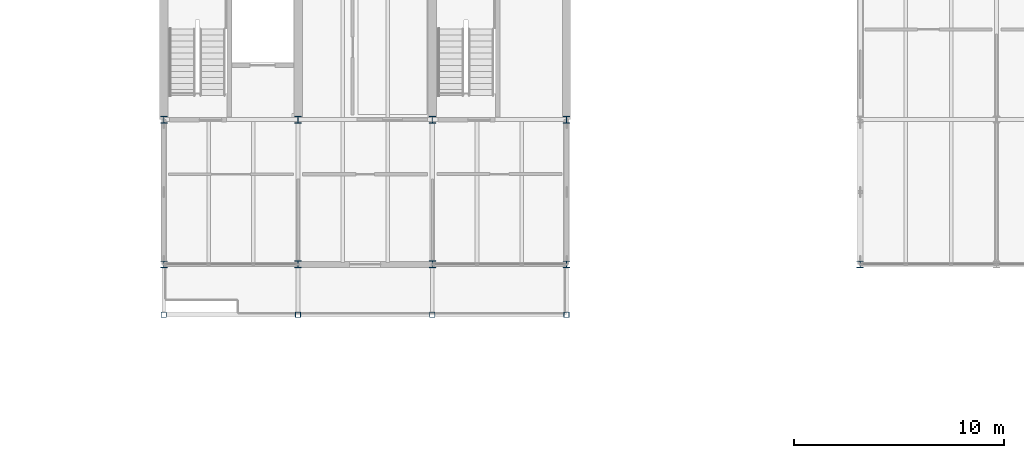
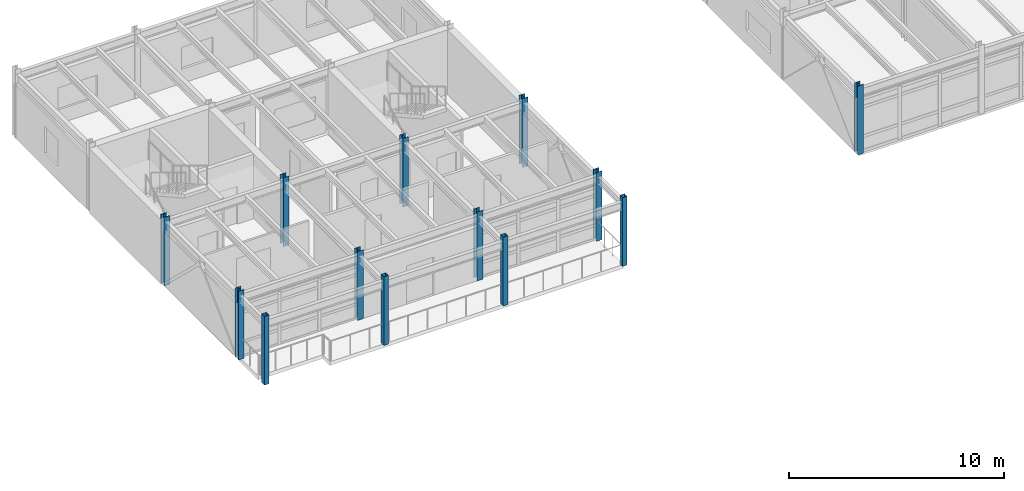
# One storey, part 5 of 49: 13 columns.
"""IFC4 building model written with IfcOpenShell, lengths in metres."""

from ifc_helpers import new_model, si_unit, direction, frame, origin, origin_2d, place, context, subcontext, project, spatial, hollow_rectangle, i_section, extrude, material, material_profile, profile_set, type_object, element, save


model = new_model("IFC4")

# Units and contexts
model_context = context("Model", 3, precision=1e-05, world=origin(), true_north=direction((0.0, 1.0)))
body_context = subcontext(model_context, "Body", "Model", "MODEL_VIEW")
ifc_project = project(units=[si_unit("LENGTHUNIT", "METRE"), si_unit("AREAUNIT", "SQUARE_METRE"), si_unit("VOLUMEUNIT", "CUBIC_METRE"), si_unit("PLANEANGLEUNIT", "RADIAN"), si_unit("MASSUNIT", "GRAM", prefix="KILO")], contexts=[model_context])

# Site, building, storey
site_placement = place(None, origin())
site = spatial("IfcSite", under=ifc_project, at=site_placement, CompositionType="ELEMENT")
building_placement = place(site_placement, origin())
building = spatial("IfcBuilding", under=site, at=building_placement, Name="Trelmorton Wharf Fire Station", CompositionType="ELEMENT")
storey_placement = place(building_placement, frame((0.0, 0.0, 9.60009765625)))
storey = spatial("IfcBuildingStorey", under=building, at=storey_placement, Name="L02", CompositionType="ELEMENT", Elevation=9.60009765625)

# Columns
ifc_material_1 = material(Name="Steel Grade 350", Category="steel")
ifc_material_profile_1 = material_profile(ifc_material_1, i_section(OverallWidth=0.306884765625, OverallDepth=0.31494140625, WebThickness=0.011962890625, FlangeThickness=0.018798828125, FilletRadius=0.0166015625, at=origin_2d()), Name="310UC118")
ifc_profile_set_1 = profile_set([ifc_material_profile_1], Name="Steel Grade 350")
column_type_1 = type_object("IfcColumnType", Name="COL_310UC118", PredefinedType="COLUMN", material=ifc_profile_set_1)
column_placement = place(storey_placement, frame((104.0, 60.300048828125, 0.0), z_axis=(0.0, 0.0, 1.0), x_axis=(1.0, 0.0, 0.0)))
element("IfcColumn", 1, at=column_placement, inside=storey, type_object=column_type_1, Name="COL-L02-0508", PredefinedType="COLUMN", context=body_context, shape_type="SweptSolid", body=[
    extrude(i_section(OverallWidth=0.306884765625, OverallDepth=0.31494140625, WebThickness=0.011962890625, FlangeThickness=0.018798828125, FilletRadius=0.0166015625, at=origin_2d()), origin(), (0.0, 0.0, 1.0), 3.89990234375),
])
ifc_material_profile_2 = material_profile(ifc_material_1, i_section(OverallWidth=0.30908203125, OverallDepth=0.321044921875, WebThickness=0.013916015625, FlangeThickness=0.021728515625, FilletRadius=0.0166015625, at=origin_2d()), Name="310UC137")
ifc_profile_set_2 = profile_set([ifc_material_profile_2], Name="Steel Grade 350")
column_type_2 = type_object("IfcColumnType", Name="COL_310UC137", PredefinedType="COLUMN", material=ifc_profile_set_2)
for number, where, z_axis, x_axis, name in (
    (2, (70.800048828125, 67.199951171875, 0.0), (0.0, 0.0, 1.0), (1.0, 0.0, 0.0), "COL-L02-0479"),
    (3, (77.199951171875, 60.300048828125, 0.0), (0.0, 0.0, 1.0), (1.0, 0.0, 0.0), "COL-L02-0486"),
    (4, (77.199951171875, 67.199951171875, 0.0), (0.0, 0.0, 1.0), (1.0, 0.0, 0.0), "COL-L02-0487"),
    (5, (83.60009765625, 60.300048828125, 0.0), (0.0, 0.0, 1.0), (1.0, 0.0, 0.0), "COL-L02-0495"),
    (6, (83.60009765625, 67.199951171875, 0.0), (0.0, 0.0, 1.0), (1.0, 0.0, 0.0), "COL-L02-0496"),
    (7, (90.0, 67.199951171875, 0.0), (0.0, 0.0, 1.0), (1.0, 0.0, 0.0), "COL-L02-0501"),
):
    element("IfcColumn", number, at=place(storey_placement, frame(where, z_axis=z_axis, x_axis=x_axis)), inside=storey, type_object=column_type_2, Name=name, PredefinedType="COLUMN", context=body_context, shape_type="SweptSolid", body=[
        extrude(i_section(OverallWidth=0.30908203125, OverallDepth=0.321044921875, WebThickness=0.013916015625, FlangeThickness=0.021728515625, FilletRadius=0.0166015625, at=origin_2d()), origin(), (0.0, 0.0, 1.0), 3.89990234375),
    ])
ifc_material_2 = material(Name="Signal-red architectural steel Grade 350", Category="steel")
ifc_material_profile_3 = material_profile(ifc_material_2, hollow_rectangle(XDim=0.25, YDim=0.25, WallThickness=0.012451171875, at=origin_2d()), Name="250x250x12.5SHS")
ifc_profile_set_3 = profile_set([ifc_material_profile_3], Name="Signal-red architectural steel Grade 350")
column_type_3 = type_object("IfcColumnType", Name="COL_RED_250SHS", PredefinedType="COLUMN", material=ifc_profile_set_3)
for number, where, z_axis, x_axis, name in (
    (8, (70.800048828125, 57.89990234375, 0.0), (0.0, 0.0, 1.0), (1.0, 0.0, 0.0), "COL-L02-0477"),
    (9, (77.199951171875, 57.89990234375, 0.0), (0.0, 0.0, 1.0), (1.0, 0.0, 0.0), "COL-L02-0485"),
    (10, (83.60009765625, 57.89990234375, 0.0), (0.0, 0.0, 1.0), (1.0, 0.0, 0.0), "COL-L02-0494"),
    (11, (90.0, 57.89990234375, 0.0), (0.0, 0.0, 1.0), (1.0, 0.0, 0.0), "COL-L02-0499"),
):
    element("IfcColumn", number, at=place(storey_placement, frame(where, z_axis=z_axis, x_axis=x_axis)), inside=storey, type_object=column_type_3, Name=name, PredefinedType="COLUMN", context=body_context, shape_type="SweptSolid", body=[
        extrude(hollow_rectangle(XDim=0.25, YDim=0.25, WallThickness=0.012451171875, at=origin_2d()), origin(), (0.0, 0.0, 1.0), 3.89990234375),
    ])
ifc_material_profile_4 = material_profile(ifc_material_2, i_section(OverallWidth=0.306884765625, OverallDepth=0.31494140625, WebThickness=0.011962890625, FlangeThickness=0.018798828125, FilletRadius=0.0166015625, at=origin_2d()), Name="310UC118")
ifc_profile_set_4 = profile_set([ifc_material_profile_4], Name="Signal-red architectural steel Grade 350")
column_type_4 = type_object("IfcColumnType", Name="COL_RED_310UC118", PredefinedType="COLUMN", material=ifc_profile_set_4)
for number, where, z_axis, x_axis, name in (
    (12, (70.800048828125, 60.300048828125, 0.0), (0.0, 0.0, 1.0), (1.0, 0.0, 0.0), "COL-L02-0478"),
    (13, (90.0, 60.300048828125, 0.0), (0.0, 0.0, 1.0), (1.0, 0.0, 0.0), "COL-L02-0500"),
):
    element("IfcColumn", number, at=place(storey_placement, frame(where, z_axis=z_axis, x_axis=x_axis)), inside=storey, type_object=column_type_4, Name=name, PredefinedType="COLUMN", context=body_context, shape_type="SweptSolid", body=[
        extrude(i_section(OverallWidth=0.306884765625, OverallDepth=0.31494140625, WebThickness=0.011962890625, FlangeThickness=0.018798828125, FilletRadius=0.0166015625, at=origin_2d()), origin(), (0.0, 0.0, 1.0), 3.89990234375),
    ])

save(model, "model.ifc")
